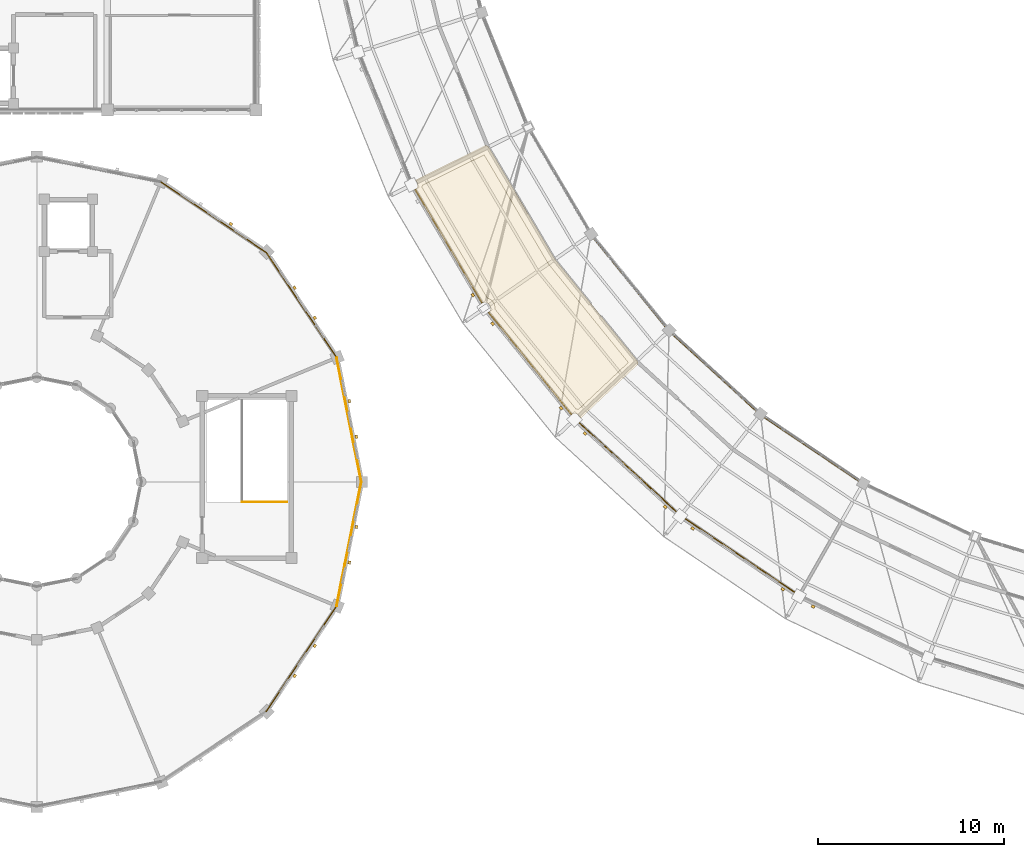
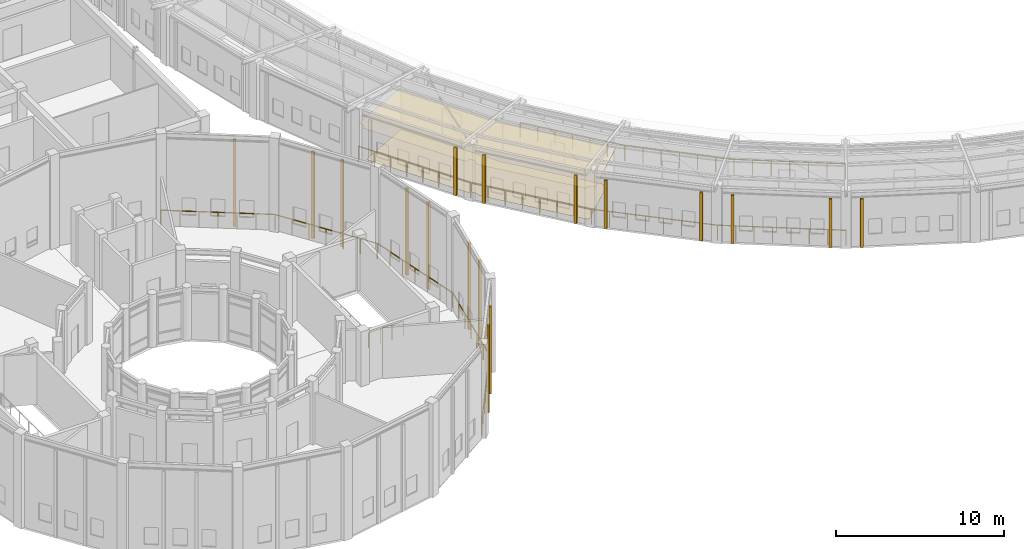
# One storey, part 137 of 149: 19 coverings, 13 railings.
"""IFC4 building model written with IfcOpenShell, lengths in metres."""

import ifcopenshell
import ifcopenshell.guid

model = None  # the IFC model being written
_history = None  # IfcOwnerHistory: only IFC2X3 demands one
_inside = {}  # id of a spatial element -> (the spatial element, [elements in it])
_under = {}  # id of a project, library or spatial element -> (it, [spatial elements below it])
_declared = {}  # id of a project -> (the project, [libraries it declares])
_typed = {}  # id of a type object -> (the type object, [elements of that type])
_made_of = {}  # id of a material, layer set ... -> (it, [elements and type objects made of it])


def new_model(schema):
    """Start an empty IFC model of exactly this schema.

    Asked for "IFC4X3", IfcOpenShell would pick the latest addendum, in which some entities
    have other attributes; the version numbers below select the first issue.
    IFC2X3 requires an IfcOwnerHistory on every rooted entity: one is made here for all.
    """
    global model, _history
    if schema == "IFC4X3":
        model = ifcopenshell.file(schema_version=(4, 3, 0, 0))
    else:
        model = ifcopenshell.file(schema=schema)
    _inside.clear()
    _under.clear()
    _declared.clear()
    _typed.clear()
    _made_of.clear()
    _history = None
    if model.schema == "IFC2X3":
        org = make("IfcOrganization", Name="unknown")
        user = make(
            "IfcPersonAndOrganization",
            ThePerson=make("IfcPerson", FamilyName="unknown"),
            TheOrganization=org,
        )
        app = make(
            "IfcApplication",
            ApplicationDeveloper=org,
            Version="unknown",
            ApplicationFullName="unknown",
            ApplicationIdentifier="unknown",
        )
        _history = make(
            "IfcOwnerHistory",
            OwningUser=user,
            OwningApplication=app,
            ChangeAction="ADDED",
            CreationDate=0,
        )
    return model


def make(cls, **values):
    """One entity of the class cls with the attributes given. An attribute that is None is left unset."""
    return model.create_entity(
        cls, **{name: value for name, value in values.items() if value is not None}
    )


def rooted(cls, **values):
    """An entity with a GlobalId (a new one), such as an element, a storey or a relation."""
    return make(cls, GlobalId=ifcopenshell.guid.new(), OwnerHistory=_history, **values)


def si_unit(unit_type, name, prefix=None):
    """IfcSIUnit, for example si_unit("LENGTHUNIT", "METRE", prefix="MILLI")."""
    return make("IfcSIUnit", UnitType=unit_type, Prefix=prefix, Name=name)


def assignment(units):
    """IfcUnitAssignment: the units of a project."""
    return None if units is None else make("IfcUnitAssignment", Units=units)


def point(xyz):
    """IfcCartesianPoint."""
    return None if xyz is None else make("IfcCartesianPoint", Coordinates=xyz)


def direction(xyz):
    """IfcDirection."""
    return None if xyz is None else make("IfcDirection", DirectionRatios=xyz)


def frame(location, z_axis=None, x_axis=None):
    """IfcAxis2Placement3D, a coordinate frame: its origin and axes. An axis left out is left unset."""
    return make(
        "IfcAxis2Placement3D",
        Location=point(location),
        Axis=direction(z_axis),
        RefDirection=direction(x_axis),
    )


def frame_2d(location, x_axis=None):
    """IfcAxis2Placement2D, a coordinate frame in the plane: its origin and x axis."""
    return make(
        "IfcAxis2Placement2D", Location=point(location), RefDirection=direction(x_axis)
    )


def origin():
    """The frame at (0, 0, 0) with its axes left unset."""
    return frame((0.0, 0.0, 0.0))


def origin_2d():
    """The frame at (0, 0) in the plane with its x axis left unset."""
    return frame_2d((0.0, 0.0))


def place(relative_to, where):
    """IfcLocalPlacement: puts the frame where relative to a parent placement (None: the world)."""
    return make(
        "IfcLocalPlacement", PlacementRelTo=relative_to, RelativePlacement=where
    )


def context(
    kind, dimensions, precision=None, world=None, true_north=None, identifier=None
):
    """IfcGeometricRepresentationContext, for example the 3D "Model" context."""
    return make(
        "IfcGeometricRepresentationContext",
        ContextIdentifier=identifier,
        ContextType=kind,
        CoordinateSpaceDimension=dimensions,
        Precision=precision,
        WorldCoordinateSystem=world,
        TrueNorth=true_north,
    )


def subcontext(parent, identifier, kind, view, scale=None):
    """IfcGeometricRepresentationSubContext, for example "Body" below "Model"."""
    return make(
        "IfcGeometricRepresentationSubContext",
        ContextIdentifier=identifier,
        ContextType=kind,
        ParentContext=parent,
        TargetScale=scale,
        TargetView=view,
    )


def project(units=None, contexts=None):
    """IfcProject with its units and contexts."""
    return rooted(
        "IfcProject",
        Name="project",
        RepresentationContexts=contexts,
        UnitsInContext=assignment(units),
    )


def spatial(cls, under=None, at=None, **own):
    """A site, building, storey or space (cls), placed at a placement, below another one or the project."""
    s = rooted(cls, ObjectPlacement=at, **own)
    if under is not None:
        _under.setdefault(under.id(), (under, []))[1].append(s)
    return s


def polyline(points):
    """IfcPolyline through the points."""
    return make("IfcPolyline", Points=[point(p) for p in points])


def profile(cls, at=None, kind="AREA", **sizes):
    """A parametric profile (cls). Its sizes go by their IFC names, for example OverallWidth=200.0."""
    return make(cls, ProfileType=kind, Position=at, **sizes)


def rectangle(**sizes):
    """IfcRectangleProfileDef."""
    return profile("IfcRectangleProfileDef", **sizes)


def circle(**sizes):
    """IfcCircleProfileDef."""
    return profile("IfcCircleProfileDef", **sizes)


def outline(outer, holes=None, kind="AREA"):
    """IfcArbitraryClosedProfileDef: a profile drawn as a closed curve; with holes, ...WithVoids."""
    if holes is None:
        return make("IfcArbitraryClosedProfileDef", ProfileType=kind, OuterCurve=outer)
    return make(
        "IfcArbitraryProfileDefWithVoids",
        ProfileType=kind,
        OuterCurve=outer,
        InnerCurves=holes,
    )


def extrude(swept, where, along, depth):
    """IfcExtrudedAreaSolid: the profile swept, set in the frame where, extruded along a direction by depth."""
    return make(
        "IfcExtrudedAreaSolid",
        SweptArea=swept,
        Position=where,
        ExtrudedDirection=direction(along),
        Depth=depth,
    )


def shape(context_of_items, identifier, shape_type, items):
    """IfcShapeRepresentation: the items that make up one representation, for example the "Body"."""
    return make(
        "IfcShapeRepresentation",
        ContextOfItems=context_of_items,
        RepresentationIdentifier=identifier,
        RepresentationType=shape_type,
        Items=items,
    )


def material(Name=None, Category=None):
    """IfcMaterial."""
    return make("IfcMaterial", Name=Name, Category=Category)


def layer(
    of_material, thickness, ventilated=None, Name=None, Category=None, Priority=None
):
    """IfcMaterialLayer: one layer of a wall or slab, of a material (None: an air gap)."""
    return make(
        "IfcMaterialLayer",
        Material=of_material,
        LayerThickness=thickness,
        IsVentilated=ventilated,
        Name=Name,
        Category=Category,
        Priority=Priority,
    )


def layer_set(layers, Name=None):
    """IfcMaterialLayerSet."""
    return make("IfcMaterialLayerSet", MaterialLayers=layers, LayerSetName=Name)


def made_of(thing, what):
    """Note that an element or type object is made of a material, layer set ...; save() writes the relation."""
    if what is not None:
        _made_of.setdefault(what.id(), (what, []))[1].append(thing)
    return thing


def type_object(cls, material=None, **own):
    """A type object (cls), such as IfcWallType, which elements share."""
    return made_of(rooted(cls, **own), material)


def element(
    cls,
    number,
    at=None,
    inside=None,
    cuts=None,
    type_object=None,
    material=None,
    context=None,
    identifier="Body",
    shape_type=None,
    held_by="IfcProductDefinitionShape",
    body=None,
    shapes=None,
    **own,
):
    """One element of the class cls, such as IfcWall. Its Tag is "e" and its number.

    at: its placement. inside: the storey or other place that contains it. cuts: it is an
    opening in that element (IfcRelVoidsElement). A single representation is given by context,
    identifier, shape_type and body (its items); several are given by shapes. held_by: the class
    of the entity that holds the representations. save() writes the other relations.
    """
    e = rooted(cls, Tag="e%d" % number, ObjectPlacement=at, **own)
    if body is not None:
        shapes = [shape(context, identifier, shape_type, body)]
    if shapes is not None:
        e.Representation = make(held_by, Representations=shapes)
    if inside is not None:
        _inside.setdefault(inside.id(), (inside, []))[1].append(e)
    if cuts is not None:
        rooted(
            "IfcRelVoidsElement", RelatingBuildingElement=cuts, RelatedOpeningElement=e
        )
    if type_object is not None:
        _typed.setdefault(type_object.id(), (type_object, []))[1].append(e)
    return made_of(e, material)


def aggregate(whole, parts):
    """IfcRelAggregates: a whole, such as a stair, and the parts it consists of."""
    return rooted("IfcRelAggregates", RelatingObject=whole, RelatedObjects=parts)


def save(model, path):
    """Write the relations noted so far, then the file.

    IfcRelAggregates (storeys below a building ...), IfcRelContainedInSpatialStructure (elements
    in a storey), IfcRelDefinesByType, IfcRelAssociatesMaterial and IfcRelDeclares: one each for
    every whole, place, type object, material and project.
    """
    for whole, parts in _under.values():
        aggregate(whole, parts)
    for where, things in _inside.values():
        rooted(
            "IfcRelContainedInSpatialStructure",
            RelatedElements=things,
            RelatingStructure=where,
        )
    for kind, things in _typed.values():
        rooted("IfcRelDefinesByType", RelatedObjects=things, RelatingType=kind)
    for what, things in _made_of.values():
        rooted("IfcRelAssociatesMaterial", RelatedObjects=things, RelatingMaterial=what)
    for by, libraries in _declared.values():
        rooted("IfcRelDeclares", RelatingContext=by, RelatedDefinitions=libraries)
    model.write(path)


model = new_model("IFC4")

# Units and contexts
model_context = context("Model", 3, precision=1e-05, world=origin(), true_north=direction((0.0, 1.0)))
body_context = subcontext(model_context, "Body", "Model", "MODEL_VIEW")
ifc_project = project(units=[si_unit("LENGTHUNIT", "METRE"), si_unit("AREAUNIT", "SQUARE_METRE"), si_unit("VOLUMEUNIT", "CUBIC_METRE"), si_unit("PLANEANGLEUNIT", "RADIAN"), si_unit("MASSUNIT", "GRAM", prefix="KILO")], contexts=[model_context])

# Site, building, storey
site_placement = place(None, origin())
site = spatial("IfcSite", under=ifc_project, at=site_placement, CompositionType="ELEMENT")
building_placement = place(site_placement, origin())
building = spatial("IfcBuilding", under=site, at=building_placement, Name="Celadon Cloister-Ring School", CompositionType="ELEMENT")
storey_placement = place(building_placement, frame((0.0, 0.0, 12.5)))
storey = spatial("IfcBuildingStorey", under=building, at=storey_placement, Name="L03", CompositionType="ELEMENT", Elevation=12.5)

# Coverings
ifc_material_1 = material(Name="Mineral-fibre acoustic ceiling board")
ifc_layer_1 = layer(ifc_material_1, 0.02001953125)
ifc_layer_set_1 = layer_set([ifc_layer_1], Name="Mineral-fibre acoustic ceiling board")
covering_type_1 = type_object("IfcCoveringType", Name="CV-CL1", PredefinedType="CEILING", material=ifc_layer_set_1)
covering_1_placement = place(storey_placement, frame((0.0, 0.0, 2.550048828125)))
element("IfcCovering", 1, at=covering_1_placement, inside=storey, type_object=covering_type_1, Name="Acoustic Ceiling 0024", PredefinedType="CEILING", context=body_context, shape_type="SweptSolid", body=[
    extrude(outline(polyline([(40.56298828125, 36.238037109375), (44.2890625, 38.0810546875), (44.340087890625, 38.097900390625), (44.412109375, 38.094970703125), (44.4609375, 38.073974609375), (44.513916015625, 38.02587890625), (48.0830078125, 31.97607421875), (52.510986328125, 26.511962890625), (52.5439453125, 26.448974609375), (52.551025390625, 26.39599609375), (52.5419921875, 26.343017578125), (52.51806640625, 26.294921875), (52.493896484375, 26.26806640625), (49.48095703125, 23.431884765625), (49.451904296875, 23.4150390625), (49.43408203125, 23.47802734375), (49.385009765625, 23.55908203125), (49.31591796875, 23.6220703125), (49.23095703125, 23.662109375), (49.137939453125, 23.676025390625), (49.075927734375, 23.669921875), (48.987060546875, 23.637939453125), (48.922119140625, 23.591064453125), (44.472900390625, 29.080078125), (44.513916015625, 29.114990234375), (44.553955078125, 29.1630859375), (44.583984375, 29.218994140625), (44.60205078125, 29.279052734375), (44.60791015625, 29.341064453125), (44.60205078125, 29.403076171875), (44.570068359375, 29.491943359375), (44.513916015625, 29.56689453125), (44.466064453125, 29.60693359375), (44.409912109375, 29.636962890625), (44.35009765625, 29.655029296875), (44.2880859375, 29.660888671875), (44.22607421875, 29.655029296875), (44.166015625, 29.636962890625), (44.10791015625, 29.60498046875), (40.51904296875, 35.69091796875), (40.577880859375, 35.72998046875), (40.64111328125, 35.799072265625), (40.6708984375, 35.85498046875), (40.693115234375, 35.946044921875), (40.68896484375, 36.0390625), (40.6708984375, 36.09912109375), (40.6220703125, 36.179931640625), (40.56298828125, 36.238037109375)])), origin(), (0.0, 0.0, 1.0), 0.02001953125),
])
ifc_material_2 = material(Name="Polished cement-marble terrazzo tile", Category="masonry")
ifc_layer_2 = layer(ifc_material_2, 0.01806640625)
ifc_layer_set_2 = layer_set([ifc_layer_2], Name="Polished cement-marble terrazzo tile")
covering_type_2 = type_object("IfcCoveringType", Name="CV-FL1", PredefinedType="FLOORING", material=ifc_layer_set_2)
covering_2_placement = place(storey_placement, origin())
element("IfcCovering", 2, at=covering_2_placement, inside=storey, type_object=covering_type_2, Name="Terrazzo Flooring 0023", PredefinedType="FLOORING", context=body_context, shape_type="SweptSolid", body=[
    extrude(outline(polyline([(40.928955078125, 35.843017578125), (40.930908203125, 35.85400390625), (40.93603515625, 35.8779296875), (40.94091796875, 35.908935546875), (40.943115234375, 35.93310546875), (40.944091796875, 35.949951171875), (44.27197265625, 37.593017578125), (47.719970703125, 31.74609375), (47.72998046875, 31.72998046875), (47.740966796875, 31.716064453125), (52.031005859375, 26.422119140625), (49.340087890625, 23.888916015625), (49.31494140625, 23.89794921875), (49.2919921875, 23.905029296875), (49.260986328125, 23.912109375), (49.237060546875, 23.9169921875), (49.2080078125, 23.922119140625), (44.85498046875, 29.291015625), (44.85595703125, 29.297119140625), (44.85791015625, 29.3291015625), (44.85791015625, 29.35302734375), (44.85595703125, 29.385009765625), (44.85400390625, 29.408935546875), (44.84912109375, 29.43994140625), (44.843994140625, 29.464111328125), (44.8369140625, 29.4951171875), (44.830078125, 29.51806640625), (44.819091796875, 29.548095703125), (44.81005859375, 29.570068359375), (44.7958984375, 29.59912109375), (44.784912109375, 29.6201171875), (44.76904296875, 29.64697265625), (44.7548828125, 29.66796875), (44.736083984375, 29.693115234375), (44.720947265625, 29.7119140625), (44.699951171875, 29.735107421875), (44.681884765625, 29.7529296875), (44.658935546875, 29.77392578125), (44.639892578125, 29.7890625), (44.614990234375, 29.80810546875), (44.593994140625, 29.822021484375), (44.56689453125, 29.837890625), (44.5458984375, 29.84912109375), (44.51708984375, 29.863037109375), (44.4951171875, 29.8720703125), (44.465087890625, 29.883056640625), (44.44189453125, 29.889892578125), (44.43896484375, 29.889892578125), (40.928955078125, 35.843017578125)])), origin(), (0.0, 0.0, 1.0), 0.01806640625),
])
ifc_material_3 = material(Name="Perforated terracotta clay brick masonry", Category="masonry")
ifc_layer_3 = layer(ifc_material_3, 0.139892578125)
ifc_layer_set_3 = layer_set([ifc_layer_3], Name="Perforated terracotta clay brick masonry")
covering_type_3 = type_object("IfcCoveringType", Name="CV-SC1", PredefinedType="CLADDING", material=ifc_layer_set_3)
for number, where, z_axis, x_axis, name in (
    (3, (43.6650390625, 30.050048828125, -0.00048828125), (0.0, 0.0, 1.0), (-0.507944339768, 0.861389892962, 0.0), "Brick Screen Rib 0361"),
    (4, (48.4169921875, 23.965087890625, -0.00048828125), (0.0, 0.0, 1.0), (-0.629605187645, 0.776915251292, 0.0), "Brick Screen Rib 0363"),
    (5, (44.73388671875, 28.510009765625, -0.00048828125), (0.0, 0.0, 1.0), (-0.629605187645, 0.776915251292, 0.0), "Brick Screen Rib 0364"),
    (6, (54.01708984375, 18.64892578125, -0.00048828125), (0.0, 0.0, 1.0), (-0.73754847669, 0.675294191099, 0.0), "Brick Screen Rib 0365"),
    (7, (49.701904296875, 22.59912109375, -0.00048828125), (0.0, 0.0, 1.0), (-0.73754847669, 0.675294191099, 0.0), "Brick Screen Rib 0366"),
    (8, (60.341064453125, 14.218017578125, -0.00048828125), (0.0, 0.0, 1.0), (-0.829213207273, 0.558932426045, 0.0), "Brick Screen Rib 0367"),
    (9, (55.489990234375, 17.488037109375, -0.00048828125), (0.0, 0.0, 1.0), (-0.829213207273, 0.558932426045, 0.0), "Brick Screen Rib 0368"),
    (10, (61.968017578125, 13.2880859375, -0.00048828125), (0.0, 0.0, 1.0), (-0.902682940986, 0.430306295624, 0.0), "Brick Screen Rib 0370"),
):
    element("IfcCovering", number, at=place(storey_placement, frame(where, z_axis=z_axis, x_axis=x_axis)), inside=storey, type_object=covering_type_3, Name=name, PredefinedType="CLADDING", context=body_context, shape_type="SweptSolid", body=[
        extrude(rectangle(XDim=0.179931640625, YDim=0.139892578125, at=origin_2d()), origin(), (0.0, 0.0, 1.0), 3.51708984375),
    ])
for number, where, z_axis, x_axis, name in (
    (11, (37.01708984375, 24.339111328125, 0.0), (0.0, 0.0, 1.0), (0.195141675546, -0.980775064153, 0.0), "Brick Screen Rib 0672"),
    (12, (37.39794921875, 22.427001953125, 0.0), (0.0, 0.0, 1.0), (0.195141675546, -0.980775064153, 0.0), "Brick Screen Rib 0673"),
    (13, (34.075927734375, 30.444091796875, 0.0), (0.0, 0.0, 1.0), (0.55567181205, -0.831401730389, 0.0), "Brick Screen Rib 0674"),
    (14, (35.159912109375, 28.822998046875, 0.0), (0.0, 0.0, 1.0), (0.55567181205, -0.831401730389, 0.0), "Brick Screen Rib 0675"),
    (15, (30.64404296875, 33.8759765625, 0.0), (0.0, 0.0, 1.0), (0.831401730389, -0.55567181205, 0.0), "Brick Screen Rib 0677"),
    (16, (35.159912109375, 11.177001953125, 0.0), (0.0, 0.0, 1.0), (-0.55567181205, -0.831401730389, 0.0), "Brick Screen Rib 0700"),
    (17, (34.075927734375, 9.555908203125, 0.0), (0.0, 0.0, 1.0), (-0.55567181205, -0.831401730389, 0.0), "Brick Screen Rib 0701"),
    (18, (37.39794921875, 17.572998046875, 0.0), (0.0, 0.0, 1.0), (-0.195141675546, -0.980775064153, 0.0), "Brick Screen Rib 0702"),
    (19, (37.01708984375, 15.660888671875, 0.0), (0.0, 0.0, 1.0), (-0.195141675546, -0.980775064153, 0.0), "Brick Screen Rib 0703"),
):
    element("IfcCovering", number, at=place(storey_placement, frame(where, z_axis=z_axis, x_axis=x_axis)), inside=storey, type_object=covering_type_3, Name=name, PredefinedType="CLADDING", context=body_context, shape_type="SweptSolid", body=[
        extrude(rectangle(XDim=0.179931640625, YDim=0.139892578125, at=origin_2d()), origin(), (0.0, 0.0, 1.0), 6.330078125),
    ])

# Railings
ifc_material_4 = material(Name="Structural steel S355JR", Category="steel")
railing_type_1 = type_object("IfcRailingType", Name="RL-BL1", PredefinedType="BALUSTRADE", material=ifc_material_4)
railing_1_placement = place(storey_placement, frame((40.410888671875, 35.993896484375, 0.0)))
element("IfcRailing", 20, at=railing_1_placement, inside=storey, type_object=railing_type_1, Name="Terrace Balustrade 0155", PredefinedType="BALUSTRADE", context=body_context, shape_type="SweptSolid", body=[
    extrude(circle(Radius=0.02392578125, at=origin_2d()), frame((0.0, 0.0, 1.09619140625), z_axis=(0.508006743226, -0.861353091848, 0.0), x_axis=(0.861353091848, 0.508006743226, 0.0)), (0.0, 0.0, 1.0), 7.697021484375),
    extrude(circle(Radius=0.02099609375, at=origin_2d()), origin(), (0.0, 0.0, 1.0), 1.072021484375),
    extrude(circle(Radius=0.02099609375, at=origin_2d()), frame((0.55859375, -0.947021484375, 0.0)), (0.0, 0.0, 1.0), 1.072021484375),
    extrude(circle(Radius=0.02099609375, at=origin_2d()), frame((1.1171875, -1.894287109375, 0.0)), (0.0, 0.0, 1.0), 1.072021484375),
    extrude(circle(Radius=0.02099609375, at=origin_2d()), frame((1.67578125, -2.84130859375, 0.0)), (0.0, 0.0, 1.0), 1.072021484375),
    extrude(circle(Radius=0.02099609375, at=origin_2d()), frame((2.234375, -3.78857421875, 0.0)), (0.0, 0.0, 1.0), 1.072021484375),
    extrude(circle(Radius=0.02099609375, at=origin_2d()), frame((2.79296875, -4.735595703125, 0.0)), (0.0, 0.0, 1.0), 1.072021484375),
    extrude(circle(Radius=0.02099609375, at=origin_2d()), frame((3.3515625, -5.682861328125, 0.0)), (0.0, 0.0, 1.0), 1.072021484375),
    extrude(circle(Radius=0.02099609375, at=origin_2d()), frame((3.91015625, -6.6298828125, 0.0)), (0.0, 0.0, 1.0), 1.072021484375),
])
railing_2_placement = place(storey_placement, frame((44.321044921875, 29.364013671875, 0.0)))
element("IfcRailing", 21, at=railing_2_placement, inside=storey, type_object=railing_type_1, Name="Terrace Balustrade 0156", PredefinedType="BALUSTRADE", context=body_context, shape_type="SweptSolid", body=[
    extrude(circle(Radius=0.02392578125, at=origin_2d()), frame((0.0, 0.0, 1.09619140625), z_axis=(0.629605941512, -0.776914640365, 0.0), x_axis=(0.776914640365, 0.629605941512, 0.0)), (0.0, 0.0, 1.0), 7.6982421875),
    extrude(circle(Radius=0.02099609375, at=origin_2d()), origin(), (0.0, 0.0, 1.0), 1.072021484375),
    extrude(circle(Radius=0.02099609375, at=origin_2d()), frame((0.6923828125, -0.8544921875, 0.0)), (0.0, 0.0, 1.0), 1.072021484375),
    extrude(circle(Radius=0.02099609375, at=origin_2d()), frame((1.384765625, -1.708740234375, 0.0)), (0.0, 0.0, 1.0), 1.072021484375),
    extrude(circle(Radius=0.02099609375, at=origin_2d()), frame((2.0771484375, -2.563232421875, 0.0)), (0.0, 0.0, 1.0), 1.072021484375),
    extrude(circle(Radius=0.02099609375, at=origin_2d()), frame((2.769775390625, -3.417724609375, 0.0)), (0.0, 0.0, 1.0), 1.072021484375),
    extrude(circle(Radius=0.02099609375, at=origin_2d()), frame((3.462158203125, -4.272216796875, 0.0)), (0.0, 0.0, 1.0), 1.072021484375),
    extrude(circle(Radius=0.02099609375, at=origin_2d()), frame((4.154541015625, -5.12646484375, 0.0)), (0.0, 0.0, 1.0), 1.072021484375),
    extrude(circle(Radius=0.02099609375, at=origin_2d()), frame((4.846923828125, -5.98095703125, 0.0)), (0.0, 0.0, 1.0), 1.072021484375),
])
railing_3_placement = place(storey_placement, frame((49.16796875, 23.383056640625, 0.0)))
element("IfcRailing", 22, at=railing_3_placement, inside=storey, type_object=railing_type_1, Name="Terrace Balustrade 0157", PredefinedType="BALUSTRADE", context=body_context, shape_type="SweptSolid", body=[
    extrude(circle(Radius=0.02392578125, at=origin_2d()), frame((0.0, 0.0, 1.09619140625), z_axis=(0.737537150433, -0.675306561298, 0.0), x_axis=(0.675306561298, 0.737537150433, 0.0)), (0.0, 0.0, 1.0), 7.697265625),
    extrude(circle(Radius=0.02099609375, at=origin_2d()), origin(), (0.0, 0.0, 1.0), 1.072021484375),
    extrude(circle(Radius=0.02099609375, at=origin_2d()), frame((0.81103515625, -0.74267578125, 0.0)), (0.0, 0.0, 1.0), 1.072021484375),
    extrude(circle(Radius=0.02099609375, at=origin_2d()), frame((1.6220703125, -1.485107421875, 0.0)), (0.0, 0.0, 1.0), 1.072021484375),
    extrude(circle(Radius=0.02099609375, at=origin_2d()), frame((2.43310546875, -2.227783203125, 0.0)), (0.0, 0.0, 1.0), 1.072021484375),
    extrude(circle(Radius=0.02099609375, at=origin_2d()), frame((3.243896484375, -2.97021484375, 0.0)), (0.0, 0.0, 1.0), 1.072021484375),
    extrude(circle(Radius=0.02099609375, at=origin_2d()), frame((4.054931640625, -3.712890625, 0.0)), (0.0, 0.0, 1.0), 1.072021484375),
    extrude(circle(Radius=0.02099609375, at=origin_2d()), frame((4.865966796875, -4.455322265625, 0.0)), (0.0, 0.0, 1.0), 1.072021484375),
    extrude(circle(Radius=0.02099609375, at=origin_2d()), frame((5.677001953125, -5.197998046875, 0.0)), (0.0, 0.0, 1.0), 1.072021484375),
])
railing_4_placement = place(storey_placement, frame((54.844970703125, 18.18505859375, 0.0)))
element("IfcRailing", 23, at=railing_4_placement, inside=storey, type_object=railing_type_1, Name="Terrace Balustrade 0158", PredefinedType="BALUSTRADE", context=body_context, shape_type="SweptSolid", body=[
    extrude(circle(Radius=0.02392578125, at=origin_2d()), frame((0.0, 0.0, 1.09619140625), z_axis=(0.829184941382, -0.558974358075, 0.0), x_axis=(0.558974358075, 0.829184941382, 0.0)), (0.0, 0.0, 1.0), 7.697998046875),
    extrude(circle(Radius=0.02099609375, at=origin_2d()), origin(), (0.0, 0.0, 1.0), 1.072021484375),
    extrude(circle(Radius=0.02099609375, at=origin_2d()), frame((0.911865234375, -0.61474609375, 0.0)), (0.0, 0.0, 1.0), 1.072021484375),
    extrude(circle(Radius=0.02099609375, at=origin_2d()), frame((1.82373046875, -1.2294921875, 0.0)), (0.0, 0.0, 1.0), 1.072021484375),
    extrude(circle(Radius=0.02099609375, at=origin_2d()), frame((2.735595703125, -1.84423828125, 0.0)), (0.0, 0.0, 1.0), 1.072021484375),
    extrude(circle(Radius=0.02099609375, at=origin_2d()), frame((3.6474609375, -2.458740234375, 0.0)), (0.0, 0.0, 1.0), 1.072021484375),
    extrude(circle(Radius=0.02099609375, at=origin_2d()), frame((4.559326171875, -3.073486328125, 0.0)), (0.0, 0.0, 1.0), 1.072021484375),
    extrude(circle(Radius=0.02099609375, at=origin_2d()), frame((5.47119140625, -3.688232421875, 0.0)), (0.0, 0.0, 1.0), 1.072021484375),
    extrude(circle(Radius=0.02099609375, at=origin_2d()), frame((6.383056640625, -4.302978515625, 0.0)), (0.0, 0.0, 1.0), 1.072021484375),
])
railing_5_placement = place(storey_placement, frame((50.0048828125, 33.31103515625, 0.0)))
element("IfcRailing", 24, at=railing_5_placement, inside=storey, type_object=railing_type_1, Name="Terrace Balustrade 0191", PredefinedType="BALUSTRADE", context=body_context, shape_type="SweptSolid", body=[
    extrude(circle(Radius=0.02392578125, at=origin_2d()), frame((0.0, 0.0, 1.09619140625), z_axis=(0.629608629722, -0.776912461851, 0.0), x_axis=(0.776912461851, 0.629608629722, 0.0)), (0.0, 0.0, 1.0), 6.672607421875),
    extrude(circle(Radius=0.02099609375, at=origin_2d()), origin(), (0.0, 0.0, 1.0), 1.072021484375),
    extrude(circle(Radius=0.02099609375, at=origin_2d()), frame((0.7001953125, -0.864013671875, 0.0)), (0.0, 0.0, 1.0), 1.072021484375),
    extrude(circle(Radius=0.02099609375, at=origin_2d()), frame((1.400390625, -1.72802734375, 0.0)), (0.0, 0.0, 1.0), 1.072021484375),
    extrude(circle(Radius=0.02099609375, at=origin_2d()), frame((2.1005859375, -2.592041015625, 0.0)), (0.0, 0.0, 1.0), 1.072021484375),
    extrude(circle(Radius=0.02099609375, at=origin_2d()), frame((2.80078125, -3.4560546875, 0.0)), (0.0, 0.0, 1.0), 1.072021484375),
    extrude(circle(Radius=0.02099609375, at=origin_2d()), frame((3.5009765625, -4.320068359375, 0.0)), (0.0, 0.0, 1.0), 1.072021484375),
    extrude(circle(Radius=0.02099609375, at=origin_2d()), frame((4.201171875, -5.18408203125, 0.0)), (0.0, 0.0, 1.0), 1.072021484375),
])
railing_6_placement = place(storey_placement, frame((54.2060546875, 28.126953125, 0.0)))
element("IfcRailing", 25, at=railing_6_placement, inside=storey, type_object=railing_type_1, Name="Terrace Balustrade 0192", PredefinedType="BALUSTRADE", context=body_context, shape_type="SweptSolid", body=[
    extrude(circle(Radius=0.02392578125, at=origin_2d()), frame((0.0, 0.0, 1.09619140625), z_axis=(0.737524632236, -0.675320232812, 0.0), x_axis=(0.675320232812, 0.737524632236, 0.0)), (0.0, 0.0, 1.0), 6.672119140625),
    extrude(circle(Radius=0.02099609375, at=origin_2d()), origin(), (0.0, 0.0, 1.0), 1.072021484375),
    extrude(circle(Radius=0.02099609375, at=origin_2d()), frame((0.820068359375, -0.7509765625, 0.0)), (0.0, 0.0, 1.0), 1.072021484375),
    extrude(circle(Radius=0.02099609375, at=origin_2d()), frame((1.640380859375, -1.501953125, 0.0)), (0.0, 0.0, 1.0), 1.072021484375),
    extrude(circle(Radius=0.02099609375, at=origin_2d()), frame((2.46044921875, -2.2529296875, 0.0)), (0.0, 0.0, 1.0), 1.072021484375),
    extrude(circle(Radius=0.02099609375, at=origin_2d()), frame((3.280517578125, -3.00390625, 0.0)), (0.0, 0.0, 1.0), 1.072021484375),
    extrude(circle(Radius=0.02099609375, at=origin_2d()), frame((4.100830078125, -3.7548828125, 0.0)), (0.0, 0.0, 1.0), 1.072021484375),
    extrude(circle(Radius=0.02099609375, at=origin_2d()), frame((4.9208984375, -4.505859375, 0.0)), (0.0, 0.0, 1.0), 1.072021484375),
])
railing_7_placement = place(storey_placement, frame((59.126953125, 23.62109375, 0.0)))
element("IfcRailing", 26, at=railing_7_placement, inside=storey, type_object=railing_type_1, Name="Terrace Balustrade 0193", PredefinedType="BALUSTRADE", context=body_context, shape_type="SweptSolid", body=[
    extrude(circle(Radius=0.02392578125, at=origin_2d()), frame((0.0, 0.0, 1.09619140625), z_axis=(0.829179794599, -0.558981992759, 0.0), x_axis=(0.558981992759, 0.829179794599, 0.0)), (0.0, 0.0, 1.0), 6.6728515625),
    extrude(circle(Radius=0.02099609375, at=origin_2d()), origin(), (0.0, 0.0, 1.0), 1.072021484375),
    extrude(circle(Radius=0.02099609375, at=origin_2d()), frame((0.922119140625, -0.62158203125, 0.0)), (0.0, 0.0, 1.0), 1.072021484375),
    extrude(circle(Radius=0.02099609375, at=origin_2d()), frame((1.84423828125, -1.243408203125, 0.0)), (0.0, 0.0, 1.0), 1.072021484375),
    extrude(circle(Radius=0.02099609375, at=origin_2d()), frame((2.7666015625, -1.864990234375, 0.0)), (0.0, 0.0, 1.0), 1.072021484375),
    extrude(circle(Radius=0.02099609375, at=origin_2d()), frame((3.688720703125, -2.486572265625, 0.0)), (0.0, 0.0, 1.0), 1.072021484375),
    extrude(circle(Radius=0.02099609375, at=origin_2d()), frame((4.61083984375, -3.1083984375, 0.0)), (0.0, 0.0, 1.0), 1.072021484375),
    extrude(circle(Radius=0.02099609375, at=origin_2d()), frame((5.532958984375, -3.72998046875, 0.0)), (0.0, 0.0, 1.0), 1.072021484375),
])
railing_8_placement = place(storey_placement, frame((37.659912109375, 20.0, 0.0)))
element("IfcRailing", 27, at=railing_8_placement, inside=storey, type_object=railing_type_1, Name="Terrace Balustrade 0377", PredefinedType="BALUSTRADE", context=body_context, shape_type="SweptSolid", body=[
    extrude(circle(Radius=0.02392578125, at=origin_2d()), frame((0.0, 0.0, 1.09619140625), z_axis=(-0.19505472673, 0.980792360074, 0.0), x_axis=(-0.980792360074, -0.19505472673, 0.0)), (0.0, 0.0, 1.0), 6.812744140625),
    extrude(circle(Radius=0.02099609375, at=origin_2d()), origin(), (0.0, 0.0, 1.0), 1.072021484375),
    extrude(circle(Radius=0.02099609375, at=origin_2d()), frame((-0.221435546875, 1.11376953125, 0.0)), (0.0, 0.0, 1.0), 1.072021484375),
    extrude(circle(Radius=0.02099609375, at=origin_2d()), frame((-0.44287109375, 2.227294921875, 0.0)), (0.0, 0.0, 1.0), 1.072021484375),
    extrude(circle(Radius=0.02099609375, at=origin_2d()), frame((-0.66455078125, 3.3408203125, 0.0)), (0.0, 0.0, 1.0), 1.072021484375),
    extrude(circle(Radius=0.02099609375, at=origin_2d()), frame((-0.885986328125, 4.45458984375, 0.0)), (0.0, 0.0, 1.0), 1.072021484375),
    extrude(circle(Radius=0.02099609375, at=origin_2d()), frame((-1.107421875, 5.568359375, 0.0)), (0.0, 0.0, 1.0), 1.072021484375),
    extrude(circle(Radius=0.02099609375, at=origin_2d()), frame((-1.328857421875, 6.681884765625, 0.0)), (0.0, 0.0, 1.0), 1.072021484375),
])
railing_9_placement = place(storey_placement, frame((36.3310546875, 26.681884765625, 0.0)))
element("IfcRailing", 28, at=railing_9_placement, inside=storey, type_object=railing_type_1, Name="Terrace Balustrade 0378", PredefinedType="BALUSTRADE", context=body_context, shape_type="SweptSolid", body=[
    extrude(circle(Radius=0.02392578125, at=origin_2d()), frame((0.0, 0.0, 1.09619140625), z_axis=(-0.555626116577, 0.831432269387, 0.0), x_axis=(-0.831432269387, -0.555626116577, 0.0)), (0.0, 0.0, 1.0), 6.8125),
    extrude(circle(Radius=0.02099609375, at=origin_2d()), origin(), (0.0, 0.0, 1.0), 1.072021484375),
    extrude(circle(Radius=0.02099609375, at=origin_2d()), frame((-0.630859375, 0.944091796875, 0.0)), (0.0, 0.0, 1.0), 1.072021484375),
    extrude(circle(Radius=0.02099609375, at=origin_2d()), frame((-1.26171875, 1.887939453125, 0.0)), (0.0, 0.0, 1.0), 1.072021484375),
    extrude(circle(Radius=0.02099609375, at=origin_2d()), frame((-1.892578125, 2.83203125, 0.0)), (0.0, 0.0, 1.0), 1.072021484375),
    extrude(circle(Radius=0.02099609375, at=origin_2d()), frame((-2.5234375, 3.776123046875, 0.0)), (0.0, 0.0, 1.0), 1.072021484375),
    extrude(circle(Radius=0.02099609375, at=origin_2d()), frame((-3.154296875, 4.719970703125, 0.0)), (0.0, 0.0, 1.0), 1.072021484375),
    extrude(circle(Radius=0.02099609375, at=origin_2d()), frame((-3.78515625, 5.6640625, 0.0)), (0.0, 0.0, 1.0), 1.072021484375),
])
railing_10_placement = place(storey_placement, frame((32.5458984375, 32.345947265625, 0.0)))
element("IfcRailing", 29, at=railing_10_placement, inside=storey, type_object=railing_type_1, Name="Terrace Balustrade 0379", PredefinedType="BALUSTRADE", context=body_context, shape_type="SweptSolid", body=[
    extrude(circle(Radius=0.02392578125, at=origin_2d()), frame((0.0, 0.0, 1.09619140625), z_axis=(-0.831421205096, 0.555642672693, 0.0), x_axis=(-0.555642672693, -0.831421205096, 0.0)), (0.0, 0.0, 1.0), 6.812255859375),
    extrude(circle(Radius=0.02099609375, at=origin_2d()), origin(), (0.0, 0.0, 1.0), 1.072021484375),
    extrude(circle(Radius=0.02099609375, at=origin_2d()), frame((-0.94384765625, 0.630859375, 0.0)), (0.0, 0.0, 1.0), 1.072021484375),
    extrude(circle(Radius=0.02099609375, at=origin_2d()), frame((-1.887939453125, 1.26171875, 0.0)), (0.0, 0.0, 1.0), 1.072021484375),
    extrude(circle(Radius=0.02099609375, at=origin_2d()), frame((-2.83203125, 1.892578125, 0.0)), (0.0, 0.0, 1.0), 1.072021484375),
    extrude(circle(Radius=0.02099609375, at=origin_2d()), frame((-3.77587890625, 2.5234375, 0.0)), (0.0, 0.0, 1.0), 1.072021484375),
    extrude(circle(Radius=0.02099609375, at=origin_2d()), frame((-4.7197265625, 3.154296875, 0.0)), (0.0, 0.0, 1.0), 1.072021484375),
    extrude(circle(Radius=0.02099609375, at=origin_2d()), frame((-5.663818359375, 3.78515625, 0.0)), (0.0, 0.0, 1.0), 1.072021484375),
])
railing_11_placement = place(storey_placement, frame((32.5458984375, 7.654052734375, 0.0)))
element("IfcRailing", 30, at=railing_11_placement, inside=storey, type_object=railing_type_1, Name="Terrace Balustrade 0391", PredefinedType="BALUSTRADE", context=body_context, shape_type="SweptSolid", body=[
    extrude(circle(Radius=0.02392578125, at=origin_2d()), frame((0.0, 0.0, 1.09619140625), z_axis=(0.555626116577, 0.831432269387, 0.0), x_axis=(-0.831432269387, 0.555626116577, 0.0)), (0.0, 0.0, 1.0), 6.8125),
    extrude(circle(Radius=0.02099609375, at=origin_2d()), origin(), (0.0, 0.0, 1.0), 1.072021484375),
    extrude(circle(Radius=0.02099609375, at=origin_2d()), frame((0.630859375, 0.944091796875, 0.0)), (0.0, 0.0, 1.0), 1.072021484375),
    extrude(circle(Radius=0.02099609375, at=origin_2d()), frame((1.26171875, 1.887939453125, 0.0)), (0.0, 0.0, 1.0), 1.072021484375),
    extrude(circle(Radius=0.02099609375, at=origin_2d()), frame((1.892578125, 2.83203125, 0.0)), (0.0, 0.0, 1.0), 1.072021484375),
    extrude(circle(Radius=0.02099609375, at=origin_2d()), frame((2.5234375, 3.776123046875, 0.0)), (0.0, 0.0, 1.0), 1.072021484375),
    extrude(circle(Radius=0.02099609375, at=origin_2d()), frame((3.154296875, 4.719970703125, 0.0)), (0.0, 0.0, 1.0), 1.072021484375),
    extrude(circle(Radius=0.02099609375, at=origin_2d()), frame((3.78515625, 5.6640625, 0.0)), (0.0, 0.0, 1.0), 1.072021484375),
])
railing_12_placement = place(storey_placement, frame((36.3310546875, 13.318115234375, 0.0)))
element("IfcRailing", 31, at=railing_12_placement, inside=storey, type_object=railing_type_1, Name="Terrace Balustrade 0392", PredefinedType="BALUSTRADE", context=body_context, shape_type="SweptSolid", body=[
    extrude(circle(Radius=0.02392578125, at=origin_2d()), frame((0.0, 0.0, 1.09619140625), z_axis=(0.19505472673, 0.980792360074, 0.0), x_axis=(-0.980792360074, 0.19505472673, 0.0)), (0.0, 0.0, 1.0), 6.812744140625),
    extrude(circle(Radius=0.02099609375, at=origin_2d()), origin(), (0.0, 0.0, 1.0), 1.072021484375),
    extrude(circle(Radius=0.02099609375, at=origin_2d()), frame((0.221435546875, 1.11376953125, 0.0)), (0.0, 0.0, 1.0), 1.072021484375),
    extrude(circle(Radius=0.02099609375, at=origin_2d()), frame((0.44287109375, 2.227294921875, 0.0)), (0.0, 0.0, 1.0), 1.072021484375),
    extrude(circle(Radius=0.02099609375, at=origin_2d()), frame((0.66455078125, 3.3408203125, 0.0)), (0.0, 0.0, 1.0), 1.072021484375),
    extrude(circle(Radius=0.02099609375, at=origin_2d()), frame((0.885986328125, 4.45458984375, 0.0)), (0.0, 0.0, 1.0), 1.072021484375),
    extrude(circle(Radius=0.02099609375, at=origin_2d()), frame((1.107421875, 5.568359375, 0.0)), (0.0, 0.0, 1.0), 1.072021484375),
    extrude(circle(Radius=0.02099609375, at=origin_2d()), frame((1.328857421875, 6.681884765625, 0.0)), (0.0, 0.0, 1.0), 1.072021484375),
])
ifc_material_5 = material(Name="Structural steel S355JR", Category="steel")
railing_type_2 = type_object("IfcRailingType", Name="RL-BL2", PredefinedType="BALUSTRADE", material=ifc_material_5)
railing_13_placement = place(storey_placement, frame((33.659912109375, 18.9150390625, 0.0)))
element("IfcRailing", 32, at=railing_13_placement, inside=storey, type_object=railing_type_2, Name="Interior Guard 0111", PredefinedType="BALUSTRADE", context=body_context, shape_type="SweptSolid", body=[
    extrude(circle(Radius=0.02392578125, at=origin_2d()), frame((0.0, 0.0, 1.09619140625), z_axis=(-1.0, 0.0, 0.0), x_axis=(0.0, -1.0, 0.0)), (0.0, 0.0, 1.0), 2.419921875),
    extrude(circle(Radius=0.02099609375, at=origin_2d()), origin(), (0.0, 0.0, 1.0), 1.072021484375),
    extrude(circle(Radius=0.02099609375, at=origin_2d()), frame((-0.806640625, 0.0, 0.0)), (0.0, 0.0, 1.0), 1.072021484375),
    extrude(circle(Radius=0.02099609375, at=origin_2d()), frame((-1.61328125, 0.0, 0.0)), (0.0, 0.0, 1.0), 1.072021484375),
    extrude(circle(Radius=0.02099609375, at=origin_2d()), frame((-2.419921875, 0.0, 0.0)), (0.0, 0.0, 1.0), 1.072021484375),
])

save(model, "model.ifc")
